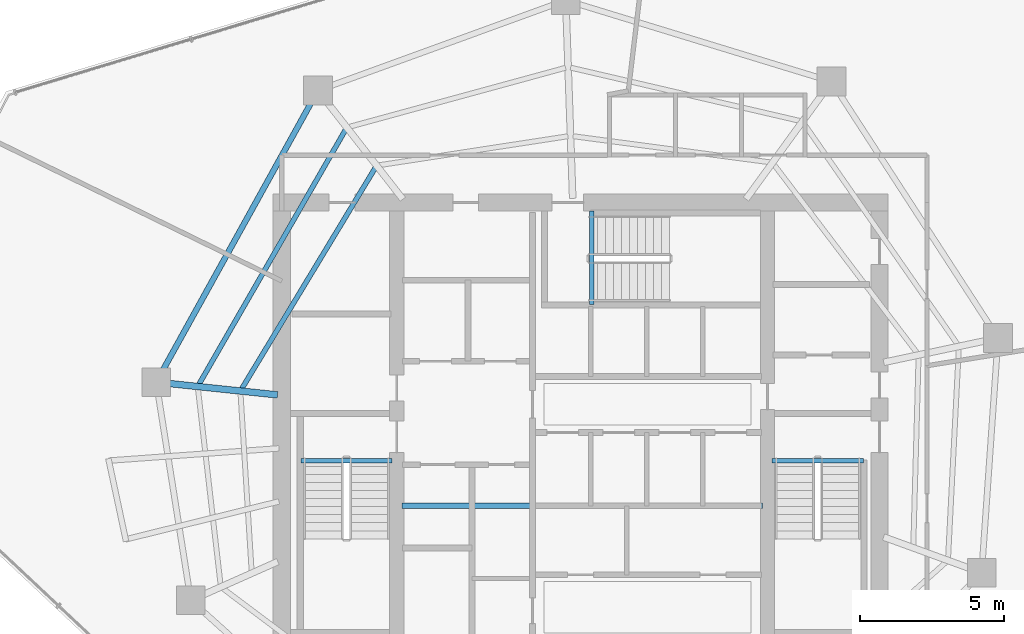
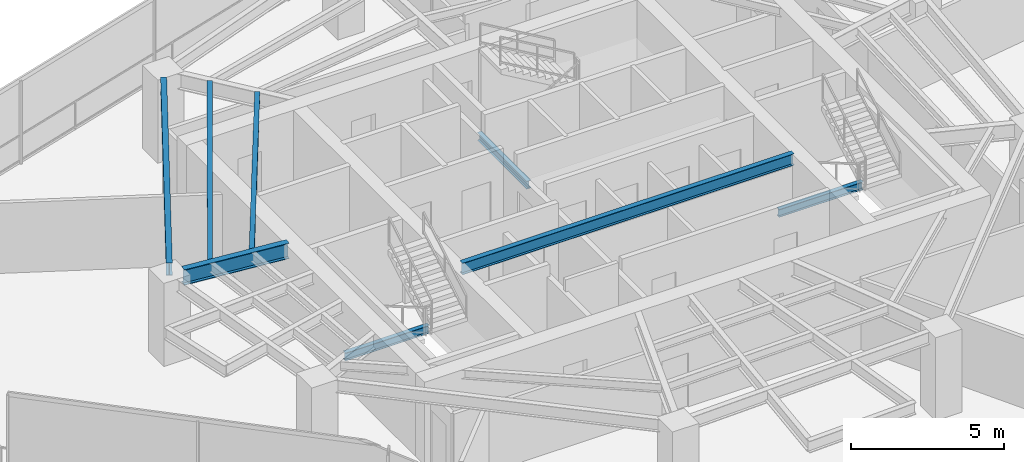
# One storey, part 7 of 19: 8 beams.
"""IFC4 building model written with IfcOpenShell, lengths in metres."""

import ifcopenshell
import ifcopenshell.guid

model = None  # the IFC model being written
_history = None  # IfcOwnerHistory: only IFC2X3 demands one
_inside = {}  # id of a spatial element -> (the spatial element, [elements in it])
_under = {}  # id of a project, library or spatial element -> (it, [spatial elements below it])
_declared = {}  # id of a project -> (the project, [libraries it declares])
_typed = {}  # id of a type object -> (the type object, [elements of that type])
_made_of = {}  # id of a material, layer set ... -> (it, [elements and type objects made of it])


def new_model(schema):
    """Start an empty IFC model of exactly this schema.

    Asked for "IFC4X3", IfcOpenShell would pick the latest addendum, in which some entities
    have other attributes; the version numbers below select the first issue.
    IFC2X3 requires an IfcOwnerHistory on every rooted entity: one is made here for all.
    """
    global model, _history
    if schema == "IFC4X3":
        model = ifcopenshell.file(schema_version=(4, 3, 0, 0))
    else:
        model = ifcopenshell.file(schema=schema)
    _inside.clear()
    _under.clear()
    _declared.clear()
    _typed.clear()
    _made_of.clear()
    _history = None
    if model.schema == "IFC2X3":
        org = make("IfcOrganization", Name="unknown")
        user = make(
            "IfcPersonAndOrganization",
            ThePerson=make("IfcPerson", FamilyName="unknown"),
            TheOrganization=org,
        )
        app = make(
            "IfcApplication",
            ApplicationDeveloper=org,
            Version="unknown",
            ApplicationFullName="unknown",
            ApplicationIdentifier="unknown",
        )
        _history = make(
            "IfcOwnerHistory",
            OwningUser=user,
            OwningApplication=app,
            ChangeAction="ADDED",
            CreationDate=0,
        )
    return model


def make(cls, **values):
    """One entity of the class cls with the attributes given. An attribute that is None is left unset."""
    return model.create_entity(
        cls, **{name: value for name, value in values.items() if value is not None}
    )


def rooted(cls, **values):
    """An entity with a GlobalId (a new one), such as an element, a storey or a relation."""
    return make(cls, GlobalId=ifcopenshell.guid.new(), OwnerHistory=_history, **values)


def si_unit(unit_type, name, prefix=None):
    """IfcSIUnit, for example si_unit("LENGTHUNIT", "METRE", prefix="MILLI")."""
    return make("IfcSIUnit", UnitType=unit_type, Prefix=prefix, Name=name)


def assignment(units):
    """IfcUnitAssignment: the units of a project."""
    return None if units is None else make("IfcUnitAssignment", Units=units)


def point(xyz):
    """IfcCartesianPoint."""
    return None if xyz is None else make("IfcCartesianPoint", Coordinates=xyz)


def direction(xyz):
    """IfcDirection."""
    return None if xyz is None else make("IfcDirection", DirectionRatios=xyz)


def frame(location, z_axis=None, x_axis=None):
    """IfcAxis2Placement3D, a coordinate frame: its origin and axes. An axis left out is left unset."""
    return make(
        "IfcAxis2Placement3D",
        Location=point(location),
        Axis=direction(z_axis),
        RefDirection=direction(x_axis),
    )


def frame_2d(location, x_axis=None):
    """IfcAxis2Placement2D, a coordinate frame in the plane: its origin and x axis."""
    return make(
        "IfcAxis2Placement2D", Location=point(location), RefDirection=direction(x_axis)
    )


def origin():
    """The frame at (0, 0, 0) with its axes left unset."""
    return frame((0.0, 0.0, 0.0))


def origin_2d():
    """The frame at (0, 0) in the plane with its x axis left unset."""
    return frame_2d((0.0, 0.0))


def place(relative_to, where):
    """IfcLocalPlacement: puts the frame where relative to a parent placement (None: the world)."""
    return make(
        "IfcLocalPlacement", PlacementRelTo=relative_to, RelativePlacement=where
    )


def context(
    kind, dimensions, precision=None, world=None, true_north=None, identifier=None
):
    """IfcGeometricRepresentationContext, for example the 3D "Model" context."""
    return make(
        "IfcGeometricRepresentationContext",
        ContextIdentifier=identifier,
        ContextType=kind,
        CoordinateSpaceDimension=dimensions,
        Precision=precision,
        WorldCoordinateSystem=world,
        TrueNorth=true_north,
    )


def subcontext(parent, identifier, kind, view, scale=None):
    """IfcGeometricRepresentationSubContext, for example "Body" below "Model"."""
    return make(
        "IfcGeometricRepresentationSubContext",
        ContextIdentifier=identifier,
        ContextType=kind,
        ParentContext=parent,
        TargetScale=scale,
        TargetView=view,
    )


def project(units=None, contexts=None):
    """IfcProject with its units and contexts."""
    return rooted(
        "IfcProject",
        Name="project",
        RepresentationContexts=contexts,
        UnitsInContext=assignment(units),
    )


def spatial(cls, under=None, at=None, **own):
    """A site, building, storey or space (cls), placed at a placement, below another one or the project."""
    s = rooted(cls, ObjectPlacement=at, **own)
    if under is not None:
        _under.setdefault(under.id(), (under, []))[1].append(s)
    return s


def profile(cls, at=None, kind="AREA", **sizes):
    """A parametric profile (cls). Its sizes go by their IFC names, for example OverallWidth=200.0."""
    return make(cls, ProfileType=kind, Position=at, **sizes)


def i_section(**sizes):
    """IfcIShapeProfileDef."""
    return profile("IfcIShapeProfileDef", **sizes)


def extrude(swept, where, along, depth):
    """IfcExtrudedAreaSolid: the profile swept, set in the frame where, extruded along a direction by depth."""
    return make(
        "IfcExtrudedAreaSolid",
        SweptArea=swept,
        Position=where,
        ExtrudedDirection=direction(along),
        Depth=depth,
    )


def shape(context_of_items, identifier, shape_type, items):
    """IfcShapeRepresentation: the items that make up one representation, for example the "Body"."""
    return make(
        "IfcShapeRepresentation",
        ContextOfItems=context_of_items,
        RepresentationIdentifier=identifier,
        RepresentationType=shape_type,
        Items=items,
    )


def material(Name=None, Category=None):
    """IfcMaterial."""
    return make("IfcMaterial", Name=Name, Category=Category)


def material_profile(
    of_material, cross_section, Name=None, Category=None, Priority=None
):
    """IfcMaterialProfile: a cross section and its material."""
    return make(
        "IfcMaterialProfile",
        Name=Name,
        Material=of_material,
        Profile=cross_section,
        Priority=Priority,
        Category=Category,
    )


def profile_set(profiles, Name=None, composite=None):
    """IfcMaterialProfileSet."""
    return make(
        "IfcMaterialProfileSet",
        Name=Name,
        MaterialProfiles=profiles,
        CompositeProfile=composite,
    )


def made_of(thing, what):
    """Note that an element or type object is made of a material, layer set ...; save() writes the relation."""
    if what is not None:
        _made_of.setdefault(what.id(), (what, []))[1].append(thing)
    return thing


def type_object(cls, material=None, **own):
    """A type object (cls), such as IfcWallType, which elements share."""
    return made_of(rooted(cls, **own), material)


def element(
    cls,
    number,
    at=None,
    inside=None,
    cuts=None,
    type_object=None,
    material=None,
    context=None,
    identifier="Body",
    shape_type=None,
    held_by="IfcProductDefinitionShape",
    body=None,
    shapes=None,
    **own,
):
    """One element of the class cls, such as IfcWall. Its Tag is "e" and its number.

    at: its placement. inside: the storey or other place that contains it. cuts: it is an
    opening in that element (IfcRelVoidsElement). A single representation is given by context,
    identifier, shape_type and body (its items); several are given by shapes. held_by: the class
    of the entity that holds the representations. save() writes the other relations.
    """
    e = rooted(cls, Tag="e%d" % number, ObjectPlacement=at, **own)
    if body is not None:
        shapes = [shape(context, identifier, shape_type, body)]
    if shapes is not None:
        e.Representation = make(held_by, Representations=shapes)
    if inside is not None:
        _inside.setdefault(inside.id(), (inside, []))[1].append(e)
    if cuts is not None:
        rooted(
            "IfcRelVoidsElement", RelatingBuildingElement=cuts, RelatedOpeningElement=e
        )
    if type_object is not None:
        _typed.setdefault(type_object.id(), (type_object, []))[1].append(e)
    return made_of(e, material)


def aggregate(whole, parts):
    """IfcRelAggregates: a whole, such as a stair, and the parts it consists of."""
    return rooted("IfcRelAggregates", RelatingObject=whole, RelatedObjects=parts)


def save(model, path):
    """Write the relations noted so far, then the file.

    IfcRelAggregates (storeys below a building ...), IfcRelContainedInSpatialStructure (elements
    in a storey), IfcRelDefinesByType, IfcRelAssociatesMaterial and IfcRelDeclares: one each for
    every whole, place, type object, material and project.
    """
    for whole, parts in _under.values():
        aggregate(whole, parts)
    for where, things in _inside.values():
        rooted(
            "IfcRelContainedInSpatialStructure",
            RelatedElements=things,
            RelatingStructure=where,
        )
    for kind, things in _typed.values():
        rooted("IfcRelDefinesByType", RelatedObjects=things, RelatingType=kind)
    for what, things in _made_of.values():
        rooted("IfcRelAssociatesMaterial", RelatedObjects=things, RelatingMaterial=what)
    for by, libraries in _declared.values():
        rooted("IfcRelDeclares", RelatingContext=by, RelatedDefinitions=libraries)
    model.write(path)


model = new_model("IFC4")

# Units and contexts
model_context = context("Model", 3, precision=1e-05, world=origin(), true_north=direction((0.0, 1.0)))
body_context = subcontext(model_context, "Body", "Model", "MODEL_VIEW")
ifc_project = project(units=[si_unit("LENGTHUNIT", "METRE"), si_unit("AREAUNIT", "SQUARE_METRE"), si_unit("VOLUMEUNIT", "CUBIC_METRE"), si_unit("PLANEANGLEUNIT", "RADIAN"), si_unit("MASSUNIT", "GRAM", prefix="KILO")], contexts=[model_context])

# Site, building, storey
site_placement = place(None, origin())
site = spatial("IfcSite", under=ifc_project, at=site_placement, CompositionType="ELEMENT")
building_placement = place(site_placement, origin())
building = spatial("IfcBuilding", under=site, at=building_placement, Name="Qarnah Convention Tower", CompositionType="ELEMENT")
storey_placement = place(building_placement, frame((0.0, 0.0, 129.300048828125)))
storey = spatial("IfcBuildingStorey", under=building, at=storey_placement, Name="L34", CompositionType="ELEMENT", Elevation=129.300048828125)

# Beams
ifc_material = material(Name="Structural steel S355JR", Category="steel")
ifc_material_profile_1 = material_profile(ifc_material, i_section(OverallWidth=0.19189453125, OverallDepth=0.464111328125, WebThickness=0.010986328125, FlangeThickness=0.01806640625, at=origin_2d()), Name="W460X89")
ifc_profile_set_1 = profile_set([ifc_material_profile_1], Name="Structural steel S355JR")
beam_type_1 = type_object("IfcBeamType", Name="BM-CANT-W460A", PredefinedType="BEAM", material=ifc_profile_set_1)
beam_1_placement = place(storey_placement, frame((30.97998046875, 23.64990234375, 3.087890625), z_axis=(1.0, 0.0, 0.0), x_axis=(0.0, 1.0, 0.0)))
element("IfcBeam", 1, at=beam_1_placement, inside=storey, type_object=beam_type_1, Name="L34 beam BM-L34-KC1", PredefinedType="BEAM", context=body_context, shape_type="SweptSolid", body=[
    extrude(i_section(OverallWidth=0.19189453125, OverallDepth=0.464111328125, WebThickness=0.010986328125, FlangeThickness=0.01806640625, at=origin_2d()), origin(), (0.0, 0.0, 1.0), 12.5400390625),
])
ifc_material_profile_2 = material_profile(ifc_material, i_section(OverallWidth=0.166015625, OverallDepth=0.31201171875, WebThickness=0.007080078125, FlangeThickness=0.010986328125, at=origin_2d()), Name="W310X45")
ifc_profile_set_2 = profile_set([ifc_material_profile_2], Name="Structural steel S355JR")
beam_type_2 = type_object("IfcBeamType", Name="BM-JST-W310", PredefinedType="JOIST", material=ifc_profile_set_2)
for number, where, z_axis, x_axis, name in (
    (2, (27.4599609375, 25.217041015625, -0.156005859375), (1.0, 0.0, 0.0), (0.0, 1.0, 0.0), "L34 stair landing trimmer beam BM-L34-ST1-TRM"),
    (3, (43.860107421875, 25.217041015625, -0.156005859375), (1.0, 0.0, 0.0), (0.0, 1.0, 0.0), "L34 stair landing trimmer beam BM-L34-ST2-TRM"),
):
    element("IfcBeam", number, at=place(storey_placement, frame(where, z_axis=z_axis, x_axis=x_axis)), inside=storey, type_object=beam_type_2, Name=name, PredefinedType="BEAM", context=body_context, shape_type="SweptSolid", body=[
        extrude(i_section(OverallWidth=0.166015625, OverallDepth=0.31201171875, WebThickness=0.007080078125, FlangeThickness=0.010986328125, at=origin_2d()), origin(), (0.0, 0.0, 1.0), 3.179931640625),
    ])
beam_2_placement = place(storey_placement, frame((37.5830078125, 30.659912109375, -0.156005859375), z_axis=(0.0, 1.0, 0.0), x_axis=(-1.0, 0.0, 0.0)))
element("IfcBeam", 4, at=beam_2_placement, inside=storey, type_object=beam_type_2, Name="L34 stair landing trimmer beam BM-L34-ST3-TRM", PredefinedType="BEAM", context=body_context, shape_type="SweptSolid", body=[
    extrude(i_section(OverallWidth=0.166015625, OverallDepth=0.31201171875, WebThickness=0.007080078125, FlangeThickness=0.010986328125, at=origin_2d()), origin(), (0.0, 0.0, 1.0), 3.239990234375),
])
ifc_material_profile_3 = material_profile(ifc_material, i_section(OverallWidth=0.172119140625, OverallDepth=0.35595703125, WebThickness=0.007080078125, FlangeThickness=0.011962890625, at=origin_2d()), Name="W360X51")
ifc_profile_set_3 = profile_set([ifc_material_profile_3], Name="Structural steel S355JR")
beam_type_3 = type_object("IfcBeamType", Name="BM-JST-W360", PredefinedType="JOIST", material=ifc_profile_set_3)
beam_3_placement = place(storey_placement, frame((29.01806640625, 36.736083984375, 3.141845703125), z_axis=(-0.499001955416, -0.86660085881, 0.0), x_axis=(0.86660085881, -0.499001955416, 0.0)))
element("IfcBeam", 5, at=beam_3_placement, inside=storey, type_object=beam_type_3, Name="L34 joist BM-L34-SJST-04", PredefinedType="JOIST", context=body_context, shape_type="SweptSolid", body=[
    extrude(i_section(OverallWidth=0.172119140625, OverallDepth=0.35595703125, WebThickness=0.007080078125, FlangeThickness=0.011962890625, at=origin_2d()), origin(), (0.0, 0.0, 1.0), 10.220703125),
])
beam_4_placement = place(storey_placement, frame((30.052978515625, 35.410888671875, 3.141845703125), z_axis=(-0.517274041331, -0.855819821087, 0.0), x_axis=(0.855819821087, -0.517274041331, 0.0)))
element("IfcBeam", 6, at=beam_4_placement, inside=storey, type_object=beam_type_3, Name="L34 joist BM-L34-IJST-04", PredefinedType="JOIST", context=body_context, shape_type="SweptSolid", body=[
    extrude(i_section(OverallWidth=0.172119140625, OverallDepth=0.35595703125, WebThickness=0.007080078125, FlangeThickness=0.011962890625, at=origin_2d()), origin(), (0.0, 0.0, 1.0), 8.9853515625),
])
ifc_material_profile_4 = material_profile(ifc_material, i_section(OverallWidth=0.22998046875, OverallDepth=0.617919921875, WebThickness=0.012939453125, FlangeThickness=0.02197265625, at=origin_2d()), Name="W610X140")
ifc_profile_set_4 = profile_set([ifc_material_profile_4], Name="Structural steel S355JR")
beam_type_4 = type_object("IfcBeamType", Name="BM-RAD-W610A", PredefinedType="BEAM", material=ifc_profile_set_4)
beam_5_placement = place(storey_placement, frame((26.65087890625, 27.509033203125, 3.010986328125), z_axis=(-0.994531015982, 0.104441649973, 0.0), x_axis=(-0.104441649973, -0.994531015982, 0.0)))
element("IfcBeam", 7, at=beam_5_placement, inside=storey, type_object=beam_type_4, Name="L34 beam BM-L34-RAD-05", PredefinedType="BEAM", context=body_context, shape_type="SweptSolid", body=[
    extrude(i_section(OverallWidth=0.22998046875, OverallDepth=0.617919921875, WebThickness=0.012939453125, FlangeThickness=0.02197265625, at=origin_2d()), origin(), (0.0, 0.0, 1.0), 3.763427734375),
])
ifc_material_profile_5 = material_profile(ifc_material, i_section(OverallWidth=0.199951171875, OverallDepth=0.5, WebThickness=0.010009765625, FlangeThickness=0.01611328125, at=origin_2d()), Name="IPE500")
ifc_profile_set_5 = profile_set([ifc_material_profile_5], Name="Structural steel S355JR")
beam_type_5 = type_object("IfcBeamType", Name="BM-SPN-IPE500", PredefinedType="SPANDREL", material=ifc_profile_set_5)
beam_6_placement = place(storey_placement, frame((27.819091796875, 37.673095703125, 3.070068359375), z_axis=(-0.48477441757, -0.874639219375, 0.0), x_axis=(0.874639219375, -0.48477441757, 0.0)))
element("IfcBeam", 8, at=beam_6_placement, inside=storey, type_object=beam_type_5, Name="L34 spandrel BM-L34-SPN-04", PredefinedType="SPANDREL", context=body_context, shape_type="SweptSolid", body=[
    extrude(i_section(OverallWidth=0.199951171875, OverallDepth=0.5, WebThickness=0.010009765625, FlangeThickness=0.01611328125, at=origin_2d()), origin(), (0.0, 0.0, 1.0), 10.623779296875),
])

save(model, "model.ifc")
